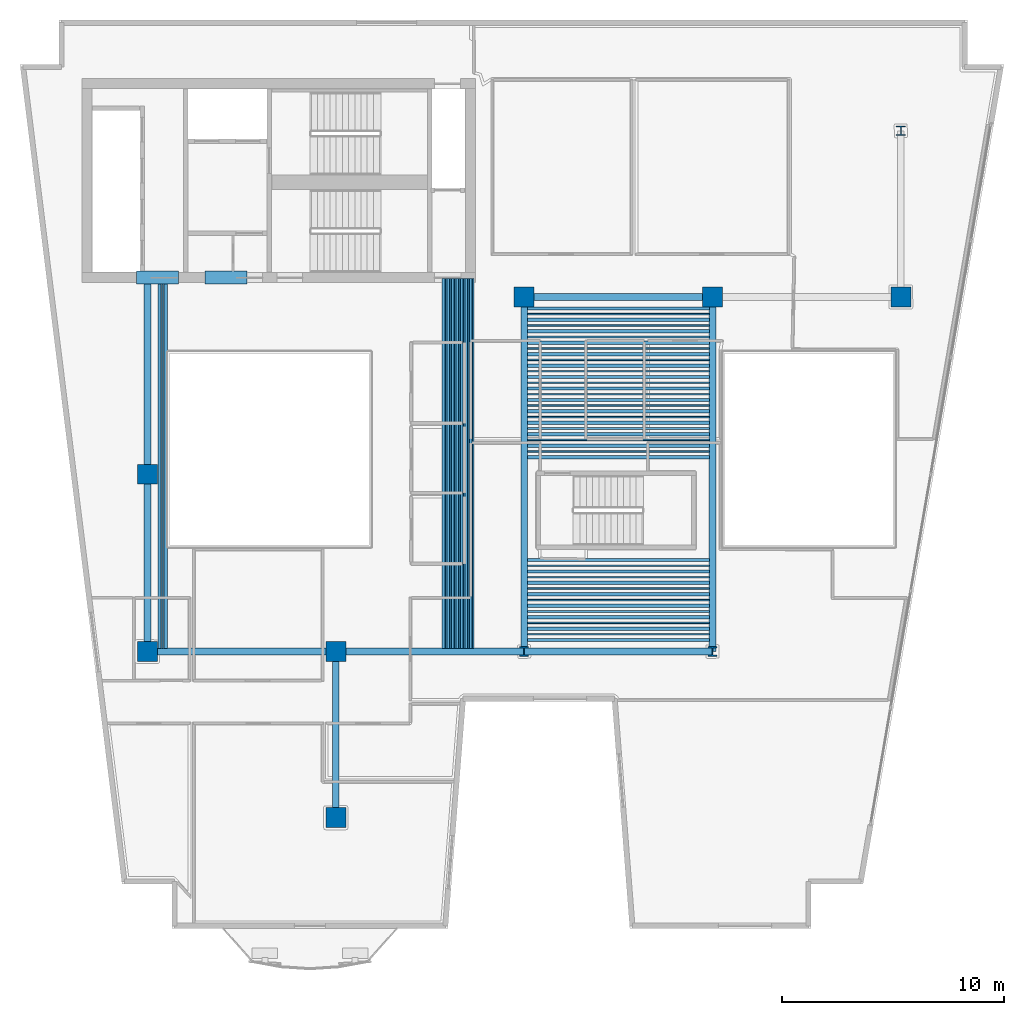
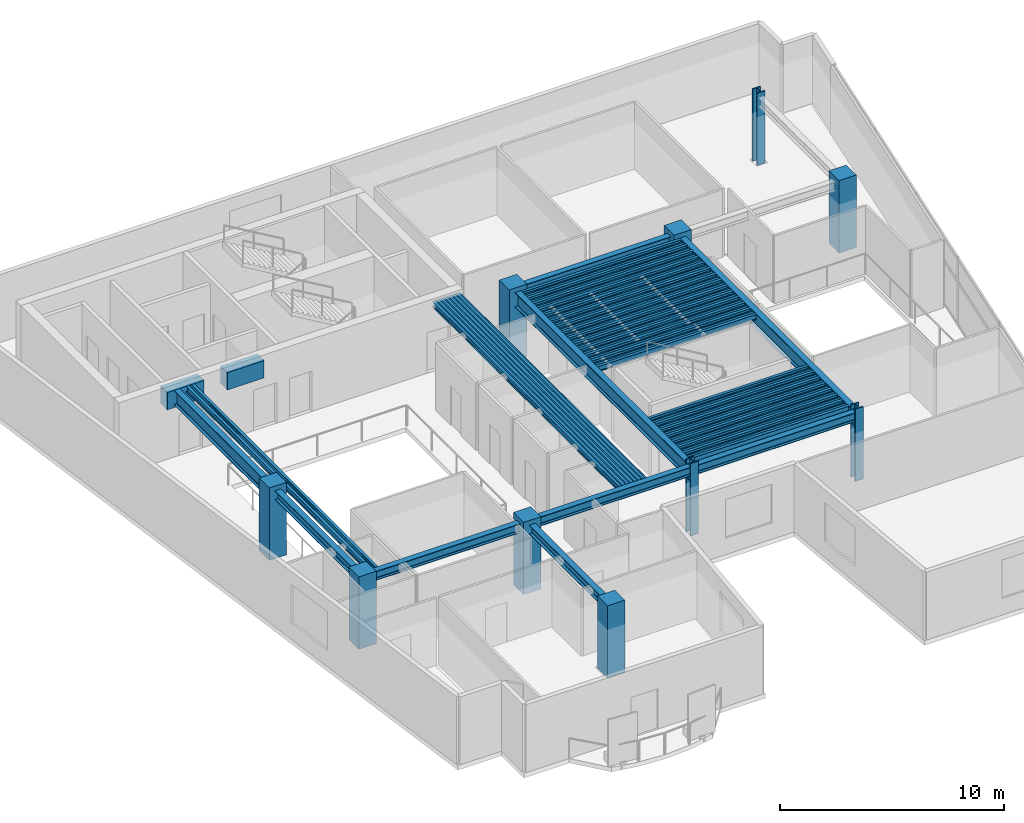
# One storey, part 1 of 9: 70 beams, 10 columns.
"""IFC4 building model written with IfcOpenShell, lengths in metres."""

from ifc_helpers import new_model, si_unit, direction, frame, origin, origin_2d, place, context, subcontext, project, spatial, rectangle, hollow_rectangle, i_section, extrude, material, material_profile, profile_set, type_object, element, save


model = new_model("IFC4")

# Units and contexts
model_context = context("Model", 3, precision=1e-05, world=origin(), true_north=direction((0.0, 1.0)))
body_context = subcontext(model_context, "Body", "Model", "MODEL_VIEW")
ifc_project = project(units=[si_unit("LENGTHUNIT", "METRE"), si_unit("AREAUNIT", "SQUARE_METRE"), si_unit("VOLUMEUNIT", "CUBIC_METRE"), si_unit("PLANEANGLEUNIT", "RADIAN"), si_unit("MASSUNIT", "GRAM", prefix="KILO")], contexts=[model_context])

# Site, building, storey
site_placement = place(None, origin())
site = spatial("IfcSite", under=ifc_project, at=site_placement, CompositionType="ELEMENT")
building_placement = place(site_placement, origin())
building = spatial("IfcBuilding", under=site, at=building_placement, Name="Caeloran Harvest Quay", CompositionType="ELEMENT")
storey_placement = place(building_placement, frame((0.0, 0.0, 227.199951171875)))
storey = spatial("IfcBuildingStorey", under=building, at=storey_placement, Name="L54", CompositionType="ELEMENT", Elevation=227.199951171875)

# Columns
ifc_material_1 = material(Name="Concrete C60/75", Category="concrete")
ifc_material_profile_1 = material_profile(ifc_material_1, rectangle(XDim=0.89990234375, YDim=0.89990234375, at=origin_2d()), Name="RC 900x900")
ifc_profile_set_1 = profile_set([ifc_material_profile_1], Name="Concrete C60/75")
column_type_1 = type_object("IfcColumnType", Name="COL-MC-4-RC_900x900", PredefinedType="COLUMN", material=ifc_profile_set_1)
for number, where, z_axis, x_axis, name in (
    (1, (8.5, 15.0, 0.0), (0.0, 0.0, 1.0), (1.0, 0.0, 0.0), "L54 Structural Column (8.5, 15.0)"),
    (2, (8.5, 23.0, 0.0), (0.0, 0.0, 1.0), (1.0, 0.0, 0.0), "L54 Structural Column (8.5, 23.0)"),
    (3, (17.0, 7.5, 0.0), (0.0, 0.0, 1.0), (1.0, 0.0, 0.0), "L54 Structural Column (17.0, 7.5)"),
    (4, (17.0, 15.0, 0.0), (0.0, 0.0, 1.0), (1.0, 0.0, 0.0), "L54 Structural Column (17.0, 15.0)"),
    (5, (25.5, 31.0, 0.0), (0.0, 0.0, 1.0), (1.0, 0.0, 0.0), "L54 Structural Column (25.5, 31.0)"),
    (6, (34.0, 31.0, 0.0), (0.0, 0.0, 1.0), (1.0, 0.0, 0.0), "L54 Structural Column (34.0, 31.0)"),
    (7, (42.5, 31.0, 0.0), (0.0, 0.0, 1.0), (1.0, 0.0, 0.0), "L54 Structural Column (42.5, 31.0)"),
):
    element("IfcColumn", number, at=place(storey_placement, frame(where, z_axis=z_axis, x_axis=x_axis)), inside=storey, type_object=column_type_1, Name=name, PredefinedType="COLUMN", context=body_context, shape_type="SweptSolid", body=[
        extrude(rectangle(XDim=0.89990234375, YDim=0.89990234375, at=origin_2d()), origin(), (0.0, 0.0, 1.0), 3.949951171875),
    ])
ifc_material_2 = material(Name="Steel HISTAR 460", Category="steel")
ifc_material_profile_2 = material_profile(ifc_material_2, i_section(OverallWidth=0.416015625, OverallDepth=0.446044921875, WebThickness=0.0390625, FlangeThickness=0.062744140625, FilletRadius=0.014892578125, at=origin_2d()), Name="HD 400x509")
ifc_profile_set_2 = profile_set([ifc_material_profile_2], Name="Steel HISTAR 460")
column_type_2 = type_object("IfcColumnType", Name="COL-SC-4-HD_400x509", PredefinedType="COLUMN", material=ifc_profile_set_2)
for number, where, z_axis, x_axis, name in (
    (8, (25.5, 15.0, 0.0), (0.0, 0.0, 1.0), (1.0, 0.0, 0.0), "L54 Structural Column (25.5, 15.0)"),
    (9, (34.0, 15.0, 0.0), (0.0, 0.0, 1.0), (1.0, 0.0, 0.0), "L54 Structural Column (34.0, 15.0)"),
    (10, (42.5, 38.5, 0.0), (0.0, 0.0, 1.0), (1.0, 0.0, 0.0), "L54 Structural Column (42.5, 38.5)"),
):
    element("IfcColumn", number, at=place(storey_placement, frame(where, z_axis=z_axis, x_axis=x_axis)), inside=storey, type_object=column_type_2, Name=name, PredefinedType="COLUMN", context=body_context, shape_type="SweptSolid", body=[
        extrude(i_section(OverallWidth=0.416015625, OverallDepth=0.446044921875, WebThickness=0.0390625, FlangeThickness=0.062744140625, FilletRadius=0.014892578125, at=origin_2d()), origin(), (0.0, 0.0, 1.0), 3.949951171875),
    ])

# Beams
ifc_material_profile_3 = material_profile(ifc_material_1, rectangle(XDim=0.60009765625, YDim=0.949951171875, at=origin_2d()), Name="RC 600x950")
ifc_profile_set_3 = profile_set([ifc_material_profile_3], Name="Concrete C60/75")
beam_type_1 = type_object("IfcBeamType", Name="BM-CB-2-RC_600x950", PredefinedType="LINTEL", material=ifc_profile_set_3)
for number, where, z_axis, x_axis, name in (
    (11, (8.0, 31.875, 3.22509765625), (1.0, 0.0, 0.0), (0.0, 1.0, 0.0), "L54 Core Coupling Beam 1"),
    (12, (11.10009765625, 31.875, 3.22509765625), (1.0, 0.0, 0.0), (0.0, 1.0, 0.0), "L54 Core Coupling Beam 2"),
):
    element("IfcBeam", number, at=place(storey_placement, frame(where, z_axis=z_axis, x_axis=x_axis)), inside=storey, type_object=beam_type_1, Name=name, PredefinedType="LINTEL", context=body_context, shape_type="SweptSolid", body=[
        extrude(rectangle(XDim=0.60009765625, YDim=0.949951171875, at=origin_2d()), origin(), (0.0, 0.0, 1.0), 1.89990234375),
    ])
ifc_material_3 = material(Name="Steel S355J2", Category="steel")
ifc_material_profile_4 = material_profile(ifc_material_3, i_section(OverallWidth=0.300048828125, OverallDepth=0.800048828125, WebThickness=0.017578125, FlangeThickness=0.032958984375, FilletRadius=0.030029296875, at=origin_2d()), Name="HE 800 B")
ifc_profile_set_4 = profile_set([ifc_material_profile_4], Name="Steel S355J2")
beam_type_2 = type_object("IfcBeamType", Name="BM-PG-1-HE_800_B", PredefinedType="BEAM", material=ifc_profile_set_4)
beam_1_placement = place(storey_placement, frame((8.5, 23.0, 3.300048828125), z_axis=(0.0, 1.0, 0.0), x_axis=(-1.0, 0.0, 0.0)))
element("IfcBeam", 13, at=beam_1_placement, inside=storey, type_object=beam_type_2, Name="L54 Core South Tie Girder X=8.5", PredefinedType="BEAM", context=body_context, shape_type="SweptSolid", body=[
    extrude(i_section(OverallWidth=0.300048828125, OverallDepth=0.800048828125, WebThickness=0.017578125, FlangeThickness=0.032958984375, FilletRadius=0.030029296875, at=origin_2d()), origin(), (0.0, 0.0, 1.0), 8.824951171875),
])
for number, where, z_axis, x_axis, name in (
    (14, (25.5, 15.0, 3.300048828125), (0.0, 1.0, 0.0), (-1.0, 0.0, 0.0), "L54 Primary North-South Girder X=25.5"),
    (15, (34.0, 15.0, 3.300048828125), (0.0, 1.0, 0.0), (-1.0, 0.0, 0.0), "L54 Primary North-South Girder X=34.0"),
):
    element("IfcBeam", number, at=place(storey_placement, frame(where, z_axis=z_axis, x_axis=x_axis)), inside=storey, type_object=beam_type_2, Name=name, PredefinedType="BEAM", context=body_context, shape_type="SweptSolid", body=[
        extrude(i_section(OverallWidth=0.300048828125, OverallDepth=0.800048828125, WebThickness=0.017578125, FlangeThickness=0.032958984375, FilletRadius=0.030029296875, at=origin_2d()), origin(), (0.0, 0.0, 1.0), 16.0),
    ])
ifc_material_profile_5 = material_profile(ifc_material_3, i_section(OverallWidth=0.300048828125, OverallDepth=0.5, WebThickness=0.014404296875, FlangeThickness=0.028076171875, FilletRadius=0.027099609375, at=origin_2d()), Name="HE 500 B")
ifc_profile_set_5 = profile_set([ifc_material_profile_5], Name="Steel S355J2")
beam_type_3 = type_object("IfcBeamType", Name="BM-PG-4-HE_500_B", PredefinedType="BEAM", material=ifc_profile_set_5)
for number, where, z_axis, x_axis, name in (
    (16, (8.5, 15.0, 3.449951171875), (1.0, 0.0, 0.0), (0.0, 1.0, 0.0), "L54 Primary East-West Girder Y=15.0"),
    (17, (17.0, 15.0, 3.449951171875), (1.0, 0.0, 0.0), (0.0, 1.0, 0.0), "L54 Primary East-West Girder Y=15.0"),
    (18, (25.5, 15.0, 3.449951171875), (1.0, 0.0, 0.0), (0.0, 1.0, 0.0), "L54 Primary East-West Girder Y=15.0"),
    (19, (25.5, 31.0, 3.449951171875), (1.0, 0.0, 0.0), (0.0, 1.0, 0.0), "L54 Primary East-West Girder Y=31.0"),
):
    element("IfcBeam", number, at=place(storey_placement, frame(where, z_axis=z_axis, x_axis=x_axis)), inside=storey, type_object=beam_type_3, Name=name, PredefinedType="BEAM", context=body_context, shape_type="SweptSolid", body=[
        extrude(i_section(OverallWidth=0.300048828125, OverallDepth=0.5, WebThickness=0.014404296875, FlangeThickness=0.028076171875, FilletRadius=0.027099609375, at=origin_2d()), origin(), (0.0, 0.0, 1.0), 8.5),
    ])
beam_2_placement = place(storey_placement, frame((8.5, 15.0, 3.449951171875), z_axis=(0.0, 1.0, 0.0), x_axis=(-1.0, 0.0, 0.0)))
element("IfcBeam", 20, at=beam_2_placement, inside=storey, type_object=beam_type_3, Name="L54 Primary North-South Girder X=8.5", PredefinedType="BEAM", context=body_context, shape_type="SweptSolid", body=[
    extrude(i_section(OverallWidth=0.300048828125, OverallDepth=0.5, WebThickness=0.014404296875, FlangeThickness=0.028076171875, FilletRadius=0.027099609375, at=origin_2d()), origin(), (0.0, 0.0, 1.0), 8.0),
])
beam_3_placement = place(storey_placement, frame((17.0, 7.5, 3.449951171875), z_axis=(0.0, 1.0, 0.0), x_axis=(-1.0, 0.0, 0.0)))
element("IfcBeam", 21, at=beam_3_placement, inside=storey, type_object=beam_type_3, Name="L54 Primary North-South Girder X=17.0", PredefinedType="BEAM", context=body_context, shape_type="SweptSolid", body=[
    extrude(i_section(OverallWidth=0.300048828125, OverallDepth=0.5, WebThickness=0.014404296875, FlangeThickness=0.028076171875, FilletRadius=0.027099609375, at=origin_2d()), origin(), (0.0, 0.0, 1.0), 7.5),
])
ifc_material_profile_6 = material_profile(ifc_material_3, i_section(OverallWidth=0.14990234375, OverallDepth=0.300048828125, WebThickness=0.007080078125, FlangeThickness=0.0107421875, FilletRadius=0.014892578125, at=origin_2d()), Name="IPE 300")
ifc_profile_set_6 = profile_set([ifc_material_profile_6], Name="Steel S355J2")
beam_type_4 = type_object("IfcBeamType", Name="BM-SB-6-IPE_300", PredefinedType="JOIST", material=ifc_profile_set_6)
for number, where, z_axis, x_axis, name in (
    (22, (9.04833984375, 15.14501953125, 3.550048828125), (0.0, 1.0, 0.0), (-1.0, 0.0, 0.0), "L54 Secondary Composite Joist"),
    (23, (9.322509765625, 15.14501953125, 3.550048828125), (0.0, 1.0, 0.0), (-1.0, 0.0, 0.0), "L54 Secondary Composite Joist"),
    (24, (21.87744140625, 15.14501953125, 3.550048828125), (0.0, 1.0, 0.0), (-1.0, 0.0, 0.0), "L54 Secondary Composite Joist"),
    (25, (22.08056640625, 15.14501953125, 3.550048828125), (0.0, 1.0, 0.0), (-1.0, 0.0, 0.0), "L54 Secondary Composite Joist"),
    (26, (22.283935546875, 15.14501953125, 3.550048828125), (0.0, 1.0, 0.0), (-1.0, 0.0, 0.0), "L54 Secondary Composite Joist"),
    (27, (22.487060546875, 15.14501953125, 3.550048828125), (0.0, 1.0, 0.0), (-1.0, 0.0, 0.0), "L54 Secondary Composite Joist"),
    (28, (22.690185546875, 15.14501953125, 3.550048828125), (0.0, 1.0, 0.0), (-1.0, 0.0, 0.0), "L54 Secondary Composite Joist"),
    (29, (22.8935546875, 15.14501953125, 3.550048828125), (0.0, 1.0, 0.0), (-1.0, 0.0, 0.0), "L54 Secondary Composite Joist"),
    (30, (23.0966796875, 15.14501953125, 3.550048828125), (0.0, 1.0, 0.0), (-1.0, 0.0, 0.0), "L54 Secondary Composite Joist"),
):
    element("IfcBeam", number, at=place(storey_placement, frame(where, z_axis=z_axis, x_axis=x_axis)), inside=storey, type_object=beam_type_4, Name=name, PredefinedType="JOIST", context=body_context, shape_type="SweptSolid", body=[
        extrude(i_section(OverallWidth=0.14990234375, OverallDepth=0.300048828125, WebThickness=0.007080078125, FlangeThickness=0.0107421875, FilletRadius=0.014892578125, at=origin_2d()), origin(), (0.0, 0.0, 1.0), 16.679931640625),
    ])
for number, where, z_axis, x_axis, name in (
    (31, (25.64501953125, 15.51611328125, 3.550048828125), (1.0, 0.0, 0.0), (0.0, 1.0, 0.0), "L54 Secondary East-West Composite Joist"),
    (32, (25.64501953125, 16.0322265625, 3.550048828125), (1.0, 0.0, 0.0), (0.0, 1.0, 0.0), "L54 Secondary East-West Composite Joist"),
    (33, (25.64501953125, 16.54833984375, 3.550048828125), (1.0, 0.0, 0.0), (0.0, 1.0, 0.0), "L54 Secondary East-West Composite Joist"),
    (34, (25.64501953125, 17.064453125, 3.550048828125), (1.0, 0.0, 0.0), (0.0, 1.0, 0.0), "L54 Secondary East-West Composite Joist"),
    (35, (25.64501953125, 17.58056640625, 3.550048828125), (1.0, 0.0, 0.0), (0.0, 1.0, 0.0), "L54 Secondary East-West Composite Joist"),
    (36, (25.64501953125, 18.0966796875, 3.550048828125), (1.0, 0.0, 0.0), (0.0, 1.0, 0.0), "L54 Secondary East-West Composite Joist"),
    (37, (25.64501953125, 18.61279296875, 3.550048828125), (1.0, 0.0, 0.0), (0.0, 1.0, 0.0), "L54 Secondary East-West Composite Joist"),
    (38, (25.64501953125, 19.12890625, 3.550048828125), (1.0, 0.0, 0.0), (0.0, 1.0, 0.0), "L54 Secondary East-West Composite Joist"),
    (39, (25.64501953125, 23.774169921875, 3.550048828125), (1.0, 0.0, 0.0), (0.0, 1.0, 0.0), "L54 Secondary East-West Composite Joist"),
    (40, (25.64501953125, 24.290283203125, 3.550048828125), (1.0, 0.0, 0.0), (0.0, 1.0, 0.0), "L54 Secondary East-West Composite Joist"),
    (41, (25.64501953125, 24.806396484375, 3.550048828125), (1.0, 0.0, 0.0), (0.0, 1.0, 0.0), "L54 Secondary East-West Composite Joist"),
    (42, (25.64501953125, 25.322509765625, 3.550048828125), (1.0, 0.0, 0.0), (0.0, 1.0, 0.0), "L54 Secondary East-West Composite Joist"),
    (43, (25.64501953125, 25.838623046875, 3.550048828125), (1.0, 0.0, 0.0), (0.0, 1.0, 0.0), "L54 Secondary East-West Composite Joist"),
    (44, (25.64501953125, 26.354736328125, 3.550048828125), (1.0, 0.0, 0.0), (0.0, 1.0, 0.0), "L54 Secondary East-West Composite Joist"),
    (45, (25.64501953125, 26.87109375, 3.550048828125), (1.0, 0.0, 0.0), (0.0, 1.0, 0.0), "L54 Secondary East-West Composite Joist"),
    (46, (25.64501953125, 27.38720703125, 3.550048828125), (1.0, 0.0, 0.0), (0.0, 1.0, 0.0), "L54 Secondary East-West Composite Joist"),
    (47, (25.64501953125, 27.9033203125, 3.550048828125), (1.0, 0.0, 0.0), (0.0, 1.0, 0.0), "L54 Secondary East-West Composite Joist"),
    (48, (25.64501953125, 28.41943359375, 3.550048828125), (1.0, 0.0, 0.0), (0.0, 1.0, 0.0), "L54 Secondary East-West Composite Joist"),
    (49, (25.64501953125, 28.935546875, 3.550048828125), (1.0, 0.0, 0.0), (0.0, 1.0, 0.0), "L54 Secondary East-West Composite Joist"),
    (50, (25.64501953125, 29.45166015625, 3.550048828125), (1.0, 0.0, 0.0), (0.0, 1.0, 0.0), "L54 Secondary East-West Composite Joist"),
    (51, (25.64501953125, 29.9677734375, 3.550048828125), (1.0, 0.0, 0.0), (0.0, 1.0, 0.0), "L54 Secondary East-West Composite Joist"),
    (52, (25.64501953125, 30.48388671875, 3.550048828125), (1.0, 0.0, 0.0), (0.0, 1.0, 0.0), "L54 Secondary East-West Composite Joist"),
):
    element("IfcBeam", number, at=place(storey_placement, frame(where, z_axis=z_axis, x_axis=x_axis)), inside=storey, type_object=beam_type_4, Name=name, PredefinedType="JOIST", context=body_context, shape_type="SweptSolid", body=[
        extrude(i_section(OverallWidth=0.14990234375, OverallDepth=0.300048828125, WebThickness=0.007080078125, FlangeThickness=0.0107421875, FilletRadius=0.014892578125, at=origin_2d()), origin(), (0.0, 0.0, 1.0), 8.2099609375),
    ])
ifc_material_profile_7 = material_profile(ifc_material_3, hollow_rectangle(XDim=0.080078125, YDim=0.199951171875, WallThickness=0.006103515625, InnerFilletRadius=0.006103515625, OuterFilletRadius=0.009033203125, at=origin_2d()), Name="RHS 200x80x6")
ifc_profile_set_7 = profile_set([ifc_material_profile_7], Name="Steel S355J2")
beam_type_5 = type_object("IfcBeamType", Name="BM-SB-7-RHS_200x80x6", PredefinedType="JOIST", material=ifc_profile_set_7)
for number, where, z_axis, x_axis, name in (
    (53, (9.185546875, 15.14501953125, 3.60009765625), (0.0, 1.0, 0.0), (-1.0, 0.0, 0.0), "L54 Secondary Composite Joist"),
    (54, (21.97900390625, 15.14501953125, 3.60009765625), (0.0, 1.0, 0.0), (-1.0, 0.0, 0.0), "L54 Secondary Composite Joist"),
    (55, (22.182373046875, 15.14501953125, 3.60009765625), (0.0, 1.0, 0.0), (-1.0, 0.0, 0.0), "L54 Secondary Composite Joist"),
    (56, (22.385498046875, 15.14501953125, 3.60009765625), (0.0, 1.0, 0.0), (-1.0, 0.0, 0.0), "L54 Secondary Composite Joist"),
    (57, (22.588623046875, 15.14501953125, 3.60009765625), (0.0, 1.0, 0.0), (-1.0, 0.0, 0.0), "L54 Secondary Composite Joist"),
    (58, (22.7919921875, 15.14501953125, 3.60009765625), (0.0, 1.0, 0.0), (-1.0, 0.0, 0.0), "L54 Secondary Composite Joist"),
    (59, (22.9951171875, 15.14501953125, 3.60009765625), (0.0, 1.0, 0.0), (-1.0, 0.0, 0.0), "L54 Secondary Composite Joist"),
    (60, (23.198486328125, 15.14501953125, 3.60009765625), (0.0, 1.0, 0.0), (-1.0, 0.0, 0.0), "L54 Secondary Composite Joist"),
):
    element("IfcBeam", number, at=place(storey_placement, frame(where, z_axis=z_axis, x_axis=x_axis)), inside=storey, type_object=beam_type_5, Name=name, PredefinedType="JOIST", context=body_context, shape_type="SweptSolid", body=[
        extrude(hollow_rectangle(XDim=0.080078125, YDim=0.199951171875, WallThickness=0.006103515625, InnerFilletRadius=0.006103515625, OuterFilletRadius=0.009033203125, at=origin_2d()), origin(), (0.0, 0.0, 1.0), 16.679931640625),
    ])
for number, where, z_axis, x_axis, name in (
    (61, (25.64501953125, 15.774169921875, 3.60009765625), (1.0, 0.0, 0.0), (0.0, 1.0, 0.0), "L54 Secondary East-West Composite Joist"),
    (62, (25.64501953125, 16.290283203125, 3.60009765625), (1.0, 0.0, 0.0), (0.0, 1.0, 0.0), "L54 Secondary East-West Composite Joist"),
    (63, (25.64501953125, 16.806396484375, 3.60009765625), (1.0, 0.0, 0.0), (0.0, 1.0, 0.0), "L54 Secondary East-West Composite Joist"),
    (64, (25.64501953125, 17.322509765625, 3.60009765625), (1.0, 0.0, 0.0), (0.0, 1.0, 0.0), "L54 Secondary East-West Composite Joist"),
    (65, (25.64501953125, 17.838623046875, 3.60009765625), (1.0, 0.0, 0.0), (0.0, 1.0, 0.0), "L54 Secondary East-West Composite Joist"),
    (66, (25.64501953125, 18.354736328125, 3.60009765625), (1.0, 0.0, 0.0), (0.0, 1.0, 0.0), "L54 Secondary East-West Composite Joist"),
    (67, (25.64501953125, 18.87109375, 3.60009765625), (1.0, 0.0, 0.0), (0.0, 1.0, 0.0), "L54 Secondary East-West Composite Joist"),
    (68, (25.64501953125, 24.0322265625, 3.60009765625), (1.0, 0.0, 0.0), (0.0, 1.0, 0.0), "L54 Secondary East-West Composite Joist"),
    (69, (25.64501953125, 24.54833984375, 3.60009765625), (1.0, 0.0, 0.0), (0.0, 1.0, 0.0), "L54 Secondary East-West Composite Joist"),
    (70, (25.64501953125, 25.064453125, 3.60009765625), (1.0, 0.0, 0.0), (0.0, 1.0, 0.0), "L54 Secondary East-West Composite Joist"),
    (71, (25.64501953125, 25.58056640625, 3.60009765625), (1.0, 0.0, 0.0), (0.0, 1.0, 0.0), "L54 Secondary East-West Composite Joist"),
    (72, (25.64501953125, 26.0966796875, 3.60009765625), (1.0, 0.0, 0.0), (0.0, 1.0, 0.0), "L54 Secondary East-West Composite Joist"),
    (73, (25.64501953125, 26.61279296875, 3.60009765625), (1.0, 0.0, 0.0), (0.0, 1.0, 0.0), "L54 Secondary East-West Composite Joist"),
    (74, (25.64501953125, 27.12890625, 3.60009765625), (1.0, 0.0, 0.0), (0.0, 1.0, 0.0), "L54 Secondary East-West Composite Joist"),
    (75, (25.64501953125, 27.645263671875, 3.60009765625), (1.0, 0.0, 0.0), (0.0, 1.0, 0.0), "L54 Secondary East-West Composite Joist"),
    (76, (25.64501953125, 28.161376953125, 3.60009765625), (1.0, 0.0, 0.0), (0.0, 1.0, 0.0), "L54 Secondary East-West Composite Joist"),
    (77, (25.64501953125, 28.677490234375, 3.60009765625), (1.0, 0.0, 0.0), (0.0, 1.0, 0.0), "L54 Secondary East-West Composite Joist"),
    (78, (25.64501953125, 29.193603515625, 3.60009765625), (1.0, 0.0, 0.0), (0.0, 1.0, 0.0), "L54 Secondary East-West Composite Joist"),
    (79, (25.64501953125, 29.709716796875, 3.60009765625), (1.0, 0.0, 0.0), (0.0, 1.0, 0.0), "L54 Secondary East-West Composite Joist"),
    (80, (25.64501953125, 30.225830078125, 3.60009765625), (1.0, 0.0, 0.0), (0.0, 1.0, 0.0), "L54 Secondary East-West Composite Joist"),
):
    element("IfcBeam", number, at=place(storey_placement, frame(where, z_axis=z_axis, x_axis=x_axis)), inside=storey, type_object=beam_type_5, Name=name, PredefinedType="JOIST", context=body_context, shape_type="SweptSolid", body=[
        extrude(hollow_rectangle(XDim=0.080078125, YDim=0.199951171875, WallThickness=0.006103515625, InnerFilletRadius=0.006103515625, OuterFilletRadius=0.009033203125, at=origin_2d()), origin(), (0.0, 0.0, 1.0), 8.2099609375),
    ])

save(model, "model.ifc")
